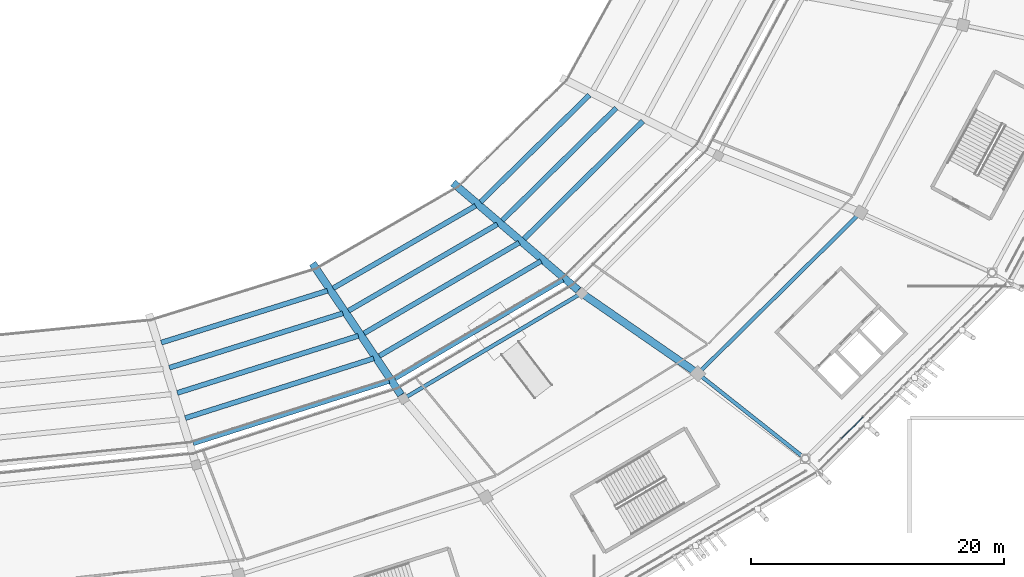
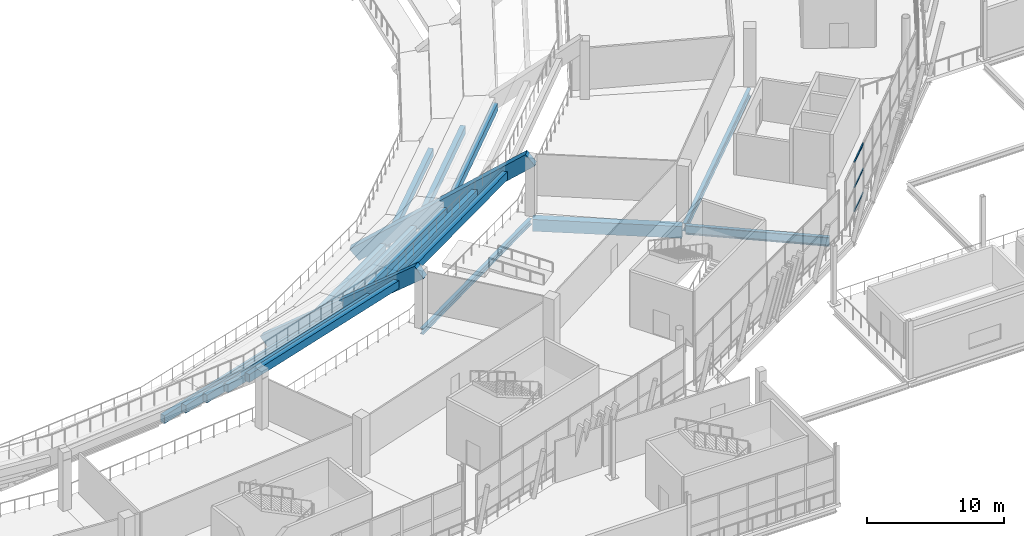
# One storey, part 56 of 178: 19 beams, 3 members, 1 element without a shape of its own.
"""IFC4 building model written with IfcOpenShell, lengths in metres."""

from ifc_helpers import new_model, si_unit, direction, frame, origin, origin_2d, place, context, subcontext, project, spatial, rectangle, i_section, extrude, material, material_profile, profile_set, type_object, element, aggregate, save


model = new_model("IFC4")

# Units and contexts
model_context = context("Model", 3, precision=1e-05, world=origin(), true_north=direction((0.0, 1.0)))
body_context = subcontext(model_context, "Body", "Model", "MODEL_VIEW")
ifc_project = project(units=[si_unit("LENGTHUNIT", "METRE"), si_unit("AREAUNIT", "SQUARE_METRE"), si_unit("VOLUMEUNIT", "CUBIC_METRE"), si_unit("PLANEANGLEUNIT", "RADIAN"), si_unit("MASSUNIT", "GRAM", prefix="KILO")], contexts=[model_context])

# Site, building, storey
site_placement = place(None, origin())
site = spatial("IfcSite", under=ifc_project, at=site_placement, CompositionType="ELEMENT")
building_placement = place(site_placement, origin())
building = spatial("IfcBuilding", under=site, at=building_placement, Name="Zlatoyarsky Gate Stadium", CompositionType="ELEMENT")
storey_placement = place(building_placement, frame((0.0, 0.0, 5.39990234375)))
storey = spatial("IfcBuildingStorey", under=building, at=storey_placement, Name="L01", CompositionType="ELEMENT", Elevation=5.39990234375)

# Curtain wall, members
ifc_material_1 = material(Name="Thermally broken anodised aluminium curtain wall", Category="aluminium")
curtain_wall_type = type_object("IfcCurtainWallType", Name="UNITISED HOSPITALITY GLAZING L01", PredefinedType="USERDEFINED", material=ifc_material_1)
curtain_wall_placement = place(storey_placement, origin())
curtain_wall = element("IfcCurtainWall", 1, at=curtain_wall_placement, inside=storey, type_object=curtain_wall_type, Name="Curtain wall CW-L01-21", ObjectType="UNITISED GLAZING", PredefinedType="USERDEFINED")
ifc_material_2 = material(Name="Anodised aluminium 6063-T6", Category="aluminium")
ifc_material_profile_1 = material_profile(ifc_material_2, rectangle(XDim=0.06494140625, YDim=0.139892578125, at=origin_2d()), Name="ALU 65X140")
ifc_profile_set_1 = profile_set([ifc_material_profile_1], Name="Anodised aluminium 6063-T6")
member_type = type_object("IfcMemberType", Name="ALUMINIUM TRANSOM 65X140", PredefinedType="USERDEFINED", material=ifc_profile_set_1)
member_1_placement = place(storey_placement, frame((179.636962890625, 31.3818359375, 0.03271484375), z_axis=(0.707816167604, 0.70639668238, 0.0), x_axis=(-0.70639668238, 0.707816167604, 0.0)))
member_1 = element("IfcMember", 2, at=member_1_placement, type_object=member_type, Name="CW-UG1 transom 2.1", ObjectType="TRANSOM", PredefinedType="USERDEFINED", context=body_context, shape_type="SweptSolid", body=[
    extrude(rectangle(XDim=0.06494140625, YDim=0.139892578125, at=origin_2d()), origin(), (0.0, 0.0, 1.0), 2.407958984375),
])
member_2_placement = place(storey_placement, frame((179.636962890625, 31.3818359375, 2.150146484375), z_axis=(0.707816167604, 0.70639668238, 0.0), x_axis=(-0.70639668238, 0.707816167604, 0.0)))
member_2 = element("IfcMember", 3, at=member_2_placement, type_object=member_type, Name="CW-UG1 transom 2.2", ObjectType="TRANSOM", PredefinedType="USERDEFINED", context=body_context, shape_type="SweptSolid", body=[
    extrude(rectangle(XDim=0.06494140625, YDim=0.139892578125, at=origin_2d()), origin(), (0.0, 0.0, 1.0), 2.407958984375),
])
member_3_placement = place(storey_placement, frame((179.636962890625, 31.3818359375, 4.36767578125), z_axis=(0.707816167604, 0.70639668238, 0.0), x_axis=(-0.70639668238, 0.707816167604, 0.0)))
member_3 = element("IfcMember", 4, at=member_3_placement, type_object=member_type, Name="CW-UG1 transom 2.3", ObjectType="TRANSOM", PredefinedType="USERDEFINED", context=body_context, shape_type="SweptSolid", body=[
    extrude(rectangle(XDim=0.06494140625, YDim=0.139892578125, at=origin_2d()), origin(), (0.0, 0.0, 1.0), 2.407958984375),
])
aggregate(curtain_wall, [member_1, member_2, member_3])

# Beams
ifc_material_3 = material(Name="Concrete C40/50", Category="concrete")
ifc_material_profile_2 = material_profile(ifc_material_3, rectangle(XDim=0.39990234375, YDim=0.699951171875, at=origin_2d()), Name="RC BEAM 400X700")
ifc_profile_set_2 = profile_set([ifc_material_profile_2], Name="Concrete C40/50")
beam_type_1 = type_object("IfcBeamType", Name="CONCRETE FLOOR BEAM 400X700", PredefinedType="BEAM", material=ifc_profile_set_2)
beam_1_placement = place(storey_placement, frame((125.84619140625, 38.964599609375, -4.219970703125), z_axis=(0.954521007749, 0.298143666318, 0.0), x_axis=(-0.298143666318, 0.954521007749, 0.0)))
element("IfcBeam", 5, at=beam_1_placement, inside=storey, type_object=beam_type_1, Name="Lower bowl step tie beam 19.1", PredefinedType="BEAM", context=body_context, shape_type="SweptSolid", body=[
    extrude(rectangle(XDim=0.39990234375, YDim=0.699951171875, at=origin_2d()), origin(), (0.0, 0.0, 1.0), 13.760986328125),
])
beam_2_placement = place(storey_placement, frame((126.477783203125, 36.975341796875, -2.31982421875), z_axis=(0.954103512777, 0.299477022334, 0.0), x_axis=(-0.299477022334, 0.954103512777, 0.0)))
element("IfcBeam", 6, at=beam_2_placement, inside=storey, type_object=beam_type_1, Name="Lower bowl step tie beam 19.2", PredefinedType="BEAM", context=body_context, shape_type="SweptSolid", body=[
    extrude(rectangle(XDim=0.39990234375, YDim=0.699951171875, at=origin_2d()), origin(), (0.0, 0.0, 1.0), 14.3837890625),
])
beam_3_placement = place(storey_placement, frame((127.109130859375, 34.98583984375, -0.419921875), z_axis=(0.953712640606, 0.300719469187, 0.0), x_axis=(-0.300719469187, 0.953712640606, 0.0)))
element("IfcBeam", 7, at=beam_3_placement, inside=storey, type_object=beam_type_1, Name="Lower bowl step tie beam 19.3", PredefinedType="BEAM", context=body_context, shape_type="SweptSolid", body=[
    extrude(rectangle(XDim=0.39990234375, YDim=0.699951171875, at=origin_2d()), origin(), (0.0, 0.0, 1.0), 15.007080078125),
])
beam_4_placement = place(storey_placement, frame((127.740478515625, 32.996337890625, 1.47998046875), z_axis=(0.953354587106, 0.301852664796, 0.0), x_axis=(-0.301852664796, 0.953354587106, 0.0)))
element("IfcBeam", 8, at=beam_4_placement, inside=storey, type_object=beam_type_1, Name="Lower bowl step tie beam 19.4", PredefinedType="BEAM", context=body_context, shape_type="SweptSolid", body=[
    extrude(rectangle(XDim=0.39990234375, YDim=0.699951171875, at=origin_2d()), origin(), (0.0, 0.0, 1.0), 15.630126953125),
])
beam_5_placement = place(storey_placement, frame((128.3720703125, 31.006591796875, 3.380126953125), z_axis=(0.953014117484, 0.30292588512, 0.0), x_axis=(-0.30292588512, 0.953014117484, 0.0)))
element("IfcBeam", 9, at=beam_5_placement, inside=storey, type_object=beam_type_1, Name="Lower bowl step tie beam 19.5", PredefinedType="BEAM", context=body_context, shape_type="SweptSolid", body=[
    extrude(rectangle(XDim=0.39990234375, YDim=0.699951171875, at=origin_2d()), origin(), (0.0, 0.0, 1.0), 16.25341796875),
])
beam_6_placement = place(storey_placement, frame((139.436279296875, 43.26708984375, -4.219970703125), z_axis=(0.865547933929, 0.500826091644, 0.0), x_axis=(-0.500826091644, 0.865547933929, 0.0)))
element("IfcBeam", 10, at=beam_6_placement, inside=storey, type_object=beam_type_1, Name="Lower bowl step tie beam 20.1", PredefinedType="BEAM", context=body_context, shape_type="SweptSolid", body=[
    extrude(rectangle(XDim=0.39990234375, YDim=0.699951171875, at=origin_2d()), origin(), (0.0, 0.0, 1.0), 13.0048828125),
])
beam_7_placement = place(storey_placement, frame((140.656005859375, 41.483642578125, -2.31982421875), z_axis=(0.864471827415, 0.502681270394, 0.0), x_axis=(-0.502681270394, 0.864471827415, 0.0)))
element("IfcBeam", 11, at=beam_7_placement, inside=storey, type_object=beam_type_1, Name="Lower bowl step tie beam 20.2", PredefinedType="BEAM", context=body_context, shape_type="SweptSolid", body=[
    extrude(rectangle(XDim=0.39990234375, YDim=0.699951171875, at=origin_2d()), origin(), (0.0, 0.0, 1.0), 13.606201171875),
])
beam_8_placement = place(storey_placement, frame((141.8759765625, 39.699951171875, -0.419921875), z_axis=(0.863471478742, 0.504397665934, 0.0), x_axis=(-0.504397665934, 0.863471478742, 0.0)))
element("IfcBeam", 12, at=beam_8_placement, inside=storey, type_object=beam_type_1, Name="Lower bowl step tie beam 20.3", PredefinedType="BEAM", context=body_context, shape_type="SweptSolid", body=[
    extrude(rectangle(XDim=0.39990234375, YDim=0.699951171875, at=origin_2d()), origin(), (0.0, 0.0, 1.0), 14.20751953125),
])
beam_9_placement = place(storey_placement, frame((143.095703125, 37.91650390625, 1.47998046875), z_axis=(0.862560784117, 0.505953450136, 0.0), x_axis=(-0.505953450136, 0.862560784117, 0.0)))
element("IfcBeam", 13, at=beam_9_placement, inside=storey, type_object=beam_type_1, Name="Lower bowl step tie beam 20.4", PredefinedType="BEAM", context=body_context, shape_type="SweptSolid", body=[
    extrude(rectangle(XDim=0.39990234375, YDim=0.699951171875, at=origin_2d()), origin(), (0.0, 0.0, 1.0), 14.80908203125),
])
beam_10_placement = place(storey_placement, frame((144.3154296875, 36.1328125, 3.380126953125), z_axis=(0.861715848075, 0.507391167815, 0.0), x_axis=(-0.507391167815, 0.861715848075, 0.0)))
element("IfcBeam", 14, at=beam_10_placement, inside=storey, type_object=beam_type_1, Name="Lower bowl step tie beam 20.5", PredefinedType="BEAM", context=body_context, shape_type="SweptSolid", body=[
    extrude(rectangle(XDim=0.39990234375, YDim=0.699951171875, at=origin_2d()), origin(), (0.0, 0.0, 1.0), 15.410888671875),
])
beam_11_placement = place(storey_placement, frame((151.08740234375, 50.080810546875, -4.219970703125), z_axis=(0.713236238692, 0.700923724678, 0.0), x_axis=(-0.700923724678, 0.713236238692, 0.0)))
element("IfcBeam", 15, at=beam_11_placement, inside=storey, type_object=beam_type_1, Name="Lower bowl step tie beam 21.1", PredefinedType="BEAM", context=body_context, shape_type="SweptSolid", body=[
    extrude(rectangle(XDim=0.39990234375, YDim=0.699951171875, at=origin_2d()), origin(), (0.0, 0.0, 1.0), 12.07568359375),
])
beam_12_placement = place(storey_placement, frame((152.812255859375, 48.62451171875, -2.31982421875), z_axis=(0.711502534013, 0.70268353054, 0.0), x_axis=(-0.70268353054, 0.711502534013, 0.0)))
element("IfcBeam", 16, at=beam_12_placement, inside=storey, type_object=beam_type_1, Name="Lower bowl step tie beam 21.2", PredefinedType="BEAM", context=body_context, shape_type="SweptSolid", body=[
    extrude(rectangle(XDim=0.39990234375, YDim=0.699951171875, at=origin_2d()), origin(), (0.0, 0.0, 1.0), 12.6513671875),
])
beam_13_placement = place(storey_placement, frame((154.537353515625, 47.16845703125, -0.419921875), z_axis=(0.709916034949, 0.704286321976, 0.0), x_axis=(-0.704286321976, 0.709916034949, 0.0)))
element("IfcBeam", 17, at=beam_13_placement, inside=storey, type_object=beam_type_1, Name="Lower bowl step tie beam 21.3", PredefinedType="BEAM", context=body_context, shape_type="SweptSolid", body=[
    extrude(rectangle(XDim=0.39990234375, YDim=0.699951171875, at=origin_2d()), origin(), (0.0, 0.0, 1.0), 13.226806640625),
])
ifc_material_profile_3 = material_profile(ifc_material_3, rectangle(XDim=0.60009765625, YDim=1.050048828125, at=origin_2d()), Name="RC GIRDER 600X1050")
ifc_profile_set_3 = profile_set([ifc_material_profile_3], Name="Concrete C40/50")
beam_type_2 = type_object("IfcBeamType", Name="CONCRETE PRIMARY GIRDER 600X1050", PredefinedType="T_BEAM", material=ifc_profile_set_3)
beam_14_placement = place(storey_placement, frame((159.181884765625, 42.80859375, -0.824951171875), z_axis=(0.822196208432, -0.569204176758, 0.0), x_axis=(0.569204176758, 0.822196208432, 0.0)))
element("IfcBeam", 18, at=beam_14_placement, inside=storey, type_object=beam_type_2, Name="Beam G-RC105 BM-L01-RAB-21", PredefinedType="T_BEAM", context=body_context, shape_type="SweptSolid", body=[
    extrude(rectangle(XDim=0.60009765625, YDim=1.050048828125, at=origin_2d()), origin(), (0.0, 0.0, 1.0), 10.9404296875),
])
ifc_material_4 = material(Name="Precast concrete C40/50", Category="concrete")
ifc_material_profile_4 = material_profile(ifc_material_4, rectangle(XDim=0.60009765625, YDim=1.14990234375, at=origin_2d()), Name="PC RAKER 600X1150")
ifc_profile_set_4 = profile_set([ifc_material_profile_4], Name="Precast concrete C40/50")
beam_type_3 = type_object("IfcBeamType", Name="PRECAST LOWER BOWL RAKER 600X1150", PredefinedType="USERDEFINED", material=ifc_profile_set_4)
beam_15_placement = place(storey_placement, frame((138.0, 44.926025390625, -5.14990234375), z_axis=(0.43494827472, -0.645732533831, 0.62757429287), x_axis=(0.829396945455, 0.558659741586, 0.0)))
element("IfcBeam", 19, at=beam_15_placement, inside=storey, type_object=beam_type_3, Name="Lower bowl radial raker 20", ObjectType="RAKER", PredefinedType="USERDEFINED", context=body_context, shape_type="SweptSolid", body=[
    extrude(rectangle(XDim=0.60009765625, YDim=1.14990234375, at=origin_2d()), origin(), (0.0, 0.0, 1.0), 16.09375),
])
beam_16_placement = place(storey_placement, frame((149.183837890625, 51.3623046875, -5.14990234375), z_axis=(0.600227386736, -0.514489075994, 0.612395358323), x_axis=(0.650797541589, 0.759251315351, 0.0)))
element("IfcBeam", 20, at=beam_16_placement, inside=storey, type_object=beam_type_3, Name="Lower bowl radial raker 21", ObjectType="RAKER", PredefinedType="USERDEFINED", context=body_context, shape_type="SweptSolid", body=[
    extrude(rectangle(XDim=0.60009765625, YDim=1.14990234375, at=origin_2d()), origin(), (0.0, 0.0, 1.0), 16.49267578125),
])
ifc_material_5 = material(Name="Steel S355", Category="steel")
ifc_material_profile_5 = material_profile(ifc_material_5, i_section(OverallWidth=0.300048828125, OverallDepth=0.5, WebThickness=0.014404296875, FlangeThickness=0.028076171875, FilletRadius=0.027099609375, at=origin_2d()), Name="HEB 500")
ifc_profile_set_5 = profile_set([ifc_material_profile_5], Name="Steel S355")
beam_type_4 = type_object("IfcBeamType", Name="STEEL PRIMARY GIRDER HEB 500", PredefinedType="BEAM", material=ifc_profile_set_5)
beam_17_placement = place(storey_placement, frame((145.103271484375, 34.594970703125, -0.5498046875), z_axis=(0.860360371321, 0.50968620882, 0.0), x_axis=(-0.50968620882, 0.860360371321, 0.0)))
element("IfcBeam", 21, at=beam_17_placement, inside=storey, type_object=beam_type_4, Name="Beam G-HEB500 BM-L01-CRA-20", PredefinedType="BEAM", context=body_context, shape_type="SweptSolid", body=[
    extrude(i_section(OverallWidth=0.300048828125, OverallDepth=0.5, WebThickness=0.014404296875, FlangeThickness=0.028076171875, FilletRadius=0.027099609375, at=origin_2d()), origin(), (0.0, 0.0, 1.0), 16.12890625),
])
ifc_material_profile_6 = material_profile(ifc_material_5, i_section(OverallWidth=0.300048828125, OverallDepth=0.699951171875, WebThickness=0.01708984375, FlangeThickness=0.031982421875, FilletRadius=0.027099609375, at=origin_2d()), Name="HEB 700")
ifc_profile_set_6 = profile_set([ifc_material_profile_6], Name="Steel S355")
beam_type_5 = type_object("IfcBeamType", Name="STEEL PRIMARY GIRDER HEB 700", PredefinedType="BEAM", material=ifc_profile_set_6)
beam_18_placement = place(storey_placement, frame((168.36083984375, 36.597412109375, -0.64990234375), z_axis=(0.710840510009, 0.703353232259, 0.0), x_axis=(-0.703353232259, 0.710840510009, 0.0)))
element("IfcBeam", 22, at=beam_18_placement, inside=storey, type_object=beam_type_5, Name="Beam G-HEB700 BM-L01-CRB-21", PredefinedType="BEAM", context=body_context, shape_type="SweptSolid", body=[
    extrude(i_section(OverallWidth=0.300048828125, OverallDepth=0.699951171875, WebThickness=0.01708984375, FlangeThickness=0.031982421875, FilletRadius=0.027099609375, at=origin_2d()), origin(), (0.0, 0.0, 1.0), 17.868896484375),
])
ifc_material_profile_7 = material_profile(ifc_material_5, i_section(OverallWidth=0.300048828125, OverallDepth=0.800048828125, WebThickness=0.017578125, FlangeThickness=0.032958984375, FilletRadius=0.030029296875, at=origin_2d()), Name="HEB 800")
ifc_profile_set_7 = profile_set([ifc_material_profile_7], Name="Steel S355")
beam_type_6 = type_object("IfcBeamType", Name="STEEL PRIMARY GIRDER HEB 800", PredefinedType="BEAM", material=ifc_profile_set_7)
beam_19_placement = place(storey_placement, frame((168.36962890625, 36.4384765625, -0.699951171875), z_axis=(0.78404348542, -0.620705898933, 0.0), x_axis=(0.620705898933, 0.78404348542, 0.0)))
element("IfcBeam", 23, at=beam_19_placement, inside=storey, type_object=beam_type_6, Name="Beam G-HEB800 BM-L01-RBC-21", PredefinedType="BEAM", context=body_context, shape_type="SweptSolid", body=[
    extrude(i_section(OverallWidth=0.300048828125, OverallDepth=0.800048828125, WebThickness=0.017578125, FlangeThickness=0.032958984375, FilletRadius=0.030029296875, at=origin_2d()), origin(), (0.0, 0.0, 1.0), 10.58251953125),
])

save(model, "model.ifc")
